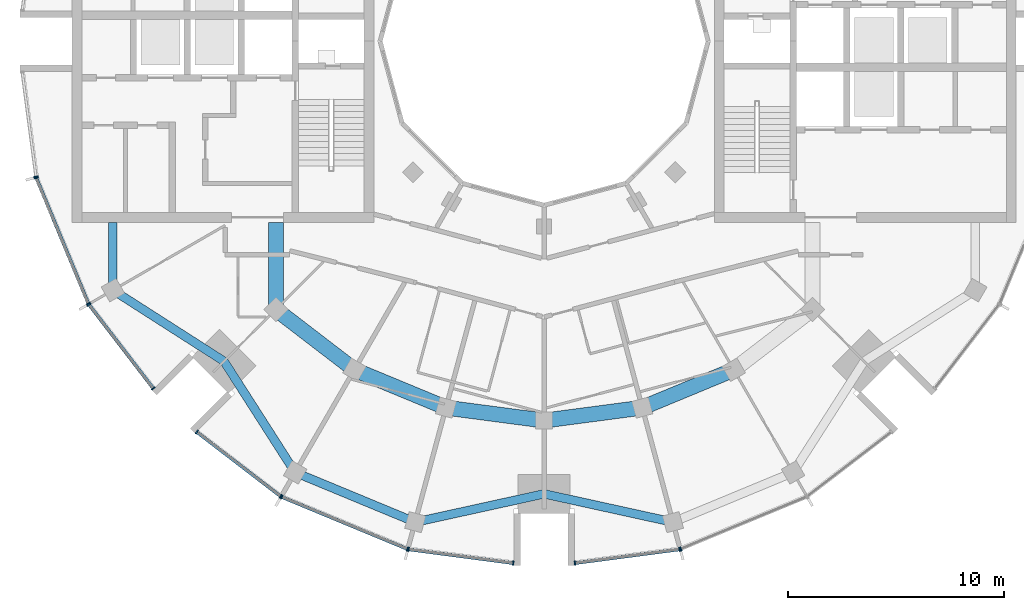
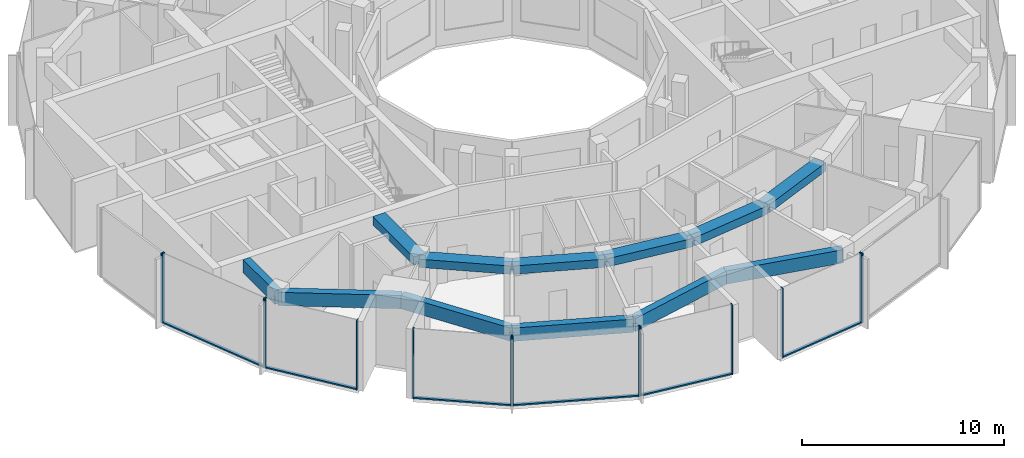
# One storey, part 2 of 15: 20 members, 12 beams, 8 elements without a shape of their own.
"""IFC4 building model written with IfcOpenShell, lengths in metres."""

from ifc_helpers import new_model, si_unit, direction, frame, origin, origin_2d, place, context, subcontext, project, spatial, rectangle, extrude, material, layer, layer_set, material_profile, profile_set, type_object, element, aggregate, save


model = new_model("IFC4")

# Units and contexts
model_context = context("Model", 3, precision=1e-05, world=origin(), true_north=direction((0.0, 1.0)))
body_context = subcontext(model_context, "Body", "Model", "MODEL_VIEW")
ifc_project = project(units=[si_unit("LENGTHUNIT", "METRE"), si_unit("AREAUNIT", "SQUARE_METRE"), si_unit("VOLUMEUNIT", "CUBIC_METRE"), si_unit("PLANEANGLEUNIT", "RADIAN"), si_unit("MASSUNIT", "GRAM", prefix="KILO")], contexts=[model_context])

# Site, building, storey
site_placement = place(None, origin())
site = spatial("IfcSite", under=ifc_project, at=site_placement, CompositionType="ELEMENT")
building_placement = place(site_placement, origin())
building = spatial("IfcBuilding", under=site, at=building_placement, Name="Torre Brocal", CompositionType="ELEMENT")
storey_placement = place(building_placement, frame((0.0, 0.0, 279.89990234375)))
storey = spatial("IfcBuildingStorey", under=building, at=storey_placement, Name="L64", CompositionType="ELEMENT", Elevation=279.89990234375)

# Curtain wall, members
ifc_material_1 = material(Name="Aluminium and glass", Category="aluminium")
ifc_layer_1 = layer(ifc_material_1, 0.199951171875)
ifc_layer_set_1 = layer_set([ifc_layer_1], Name="Aluminium and glass")
curtain_wall_type_1 = type_object("IfcCurtainWallType", Name="CW-1 CURTAIN WALL 4200 HIGH", PredefinedType="NOTDEFINED", material=ifc_layer_set_1)
curtain_wall_1_placement = place(storey_placement, origin())
curtain_wall_1 = element("IfcCurtainWall", 1, at=curtain_wall_1_placement, inside=storey, type_object=curtain_wall_type_1, Name="CW-1 RUN 14", PredefinedType="NOTDEFINED")
ifc_material_2 = material(Name="Aluminium, dark anodised", Category="aluminium")
ifc_material_profile_1 = material_profile(ifc_material_2, rectangle(XDim=0.199951171875, YDim=0.06005859375, at=origin_2d()), Name="CW-1 MULLION 60X200")
ifc_profile_set_1 = profile_set([ifc_material_profile_1], Name="Aluminium, dark anodised")
member_type_1 = type_object("IfcMemberType", Name="CW-1 MULLION 60X200", PredefinedType="MULLION", material=ifc_profile_set_1)
member_1_placement = place(storey_placement, frame((56.443603515625, 68.6572265625, 0.0), z_axis=(0.0, 0.0, 1.0), x_axis=(0.923879532471, 0.382683432462, 0.0)))
member_1 = element("IfcMember", 2, at=member_1_placement, type_object=member_type_1, Name="CW1-5 mullion 1", PredefinedType="MULLION", context=body_context, shape_type="SweptSolid", body=[
    extrude(rectangle(XDim=0.199951171875, YDim=0.06005859375, at=origin_2d()), origin(), (0.0, 0.0, 1.0), 4.2001953125),
])
member_2_placement = place(storey_placement, frame((58.858154296875, 62.828125, 0.0), z_axis=(0.0, 0.0, 1.0), x_axis=(0.923879532471, 0.382683432462, 0.0)))
member_2 = element("IfcMember", 3, at=member_2_placement, type_object=member_type_1, Name="CW1-5 mullion 2", PredefinedType="MULLION", context=body_context, shape_type="SweptSolid", body=[
    extrude(rectangle(XDim=0.199951171875, YDim=0.06005859375, at=origin_2d()), origin(), (0.0, 0.0, 1.0), 4.2001953125),
])

curtain_wall_2_placement = place(storey_placement, origin())
curtain_wall_2 = element("IfcCurtainWall", 4, at=curtain_wall_2_placement, inside=storey, type_object=curtain_wall_type_1, Name="CW-1 RUN 15", PredefinedType="NOTDEFINED")
member_3_placement = place(storey_placement, frame((58.887939453125, 62.776611328125, 0.0), z_axis=(0.0, 0.0, 1.0), x_axis=(0.793353340344, 0.608761428939, 0.0)))
member_3 = element("IfcMember", 5, at=member_3_placement, type_object=member_type_1, Name="CW1-5 mullion 1", PredefinedType="MULLION", context=body_context, shape_type="SweptSolid", body=[
    extrude(rectangle(XDim=0.199951171875, YDim=0.06005859375, at=origin_2d()), origin(), (0.0, 0.0, 1.0), 4.2001953125),
])
member_4_placement = place(storey_placement, frame((61.869384765625, 58.891357421875, 0.0), z_axis=(0.0, 0.0, 1.0), x_axis=(0.793353340344, 0.608761428939, 0.0)))
member_4 = element("IfcMember", 6, at=member_4_placement, type_object=member_type_1, Name="CW1-5 mullion 2", PredefinedType="MULLION", context=body_context, shape_type="SweptSolid", body=[
    extrude(rectangle(XDim=0.199951171875, YDim=0.06005859375, at=origin_2d()), origin(), (0.0, 0.0, 1.0), 4.2001953125),
])

curtain_wall_3_placement = place(storey_placement, origin())
curtain_wall_3 = element("IfcCurtainWall", 7, at=curtain_wall_3_placement, inside=storey, type_object=curtain_wall_type_1, Name="CW-1 RUN 16", PredefinedType="NOTDEFINED")
member_5_placement = place(storey_placement, frame((63.891357421875, 56.869384765625, 0.0), z_axis=(0.0, 0.0, 1.0), x_axis=(0.608761428939, 0.793353340344, 0.0)))
member_5 = element("IfcMember", 8, at=member_5_placement, type_object=member_type_1, Name="CW1-5 mullion 1", PredefinedType="MULLION", context=body_context, shape_type="SweptSolid", body=[
    extrude(rectangle(XDim=0.199951171875, YDim=0.06005859375, at=origin_2d()), origin(), (0.0, 0.0, 1.0), 4.2001953125),
])
member_6_placement = place(storey_placement, frame((67.776611328125, 53.887939453125, 0.0), z_axis=(0.0, 0.0, 1.0), x_axis=(0.608761428939, 0.793353340344, 0.0)))
member_6 = element("IfcMember", 9, at=member_6_placement, type_object=member_type_1, Name="CW1-5 mullion 2", PredefinedType="MULLION", context=body_context, shape_type="SweptSolid", body=[
    extrude(rectangle(XDim=0.199951171875, YDim=0.06005859375, at=origin_2d()), origin(), (0.0, 0.0, 1.0), 4.2001953125),
])

curtain_wall_4_placement = place(storey_placement, origin())
curtain_wall_4 = element("IfcCurtainWall", 10, at=curtain_wall_4_placement, inside=storey, type_object=curtain_wall_type_1, Name="CW-1 RUN 17", PredefinedType="NOTDEFINED")
member_7_placement = place(storey_placement, frame((67.828125, 53.858154296875, 0.0), z_axis=(0.0, 0.0, 1.0), x_axis=(0.382683432462, 0.923879532471, 0.0)))
member_7 = element("IfcMember", 11, at=member_7_placement, type_object=member_type_1, Name="CW1-5 mullion 1", PredefinedType="MULLION", context=body_context, shape_type="SweptSolid", body=[
    extrude(rectangle(XDim=0.199951171875, YDim=0.06005859375, at=origin_2d()), origin(), (0.0, 0.0, 1.0), 4.2001953125),
])
member_8_placement = place(storey_placement, frame((73.6572265625, 51.443603515625, 0.0), z_axis=(0.0, 0.0, 1.0), x_axis=(0.382683432462, 0.923879532471, 0.0)))
member_8 = element("IfcMember", 12, at=member_8_placement, type_object=member_type_1, Name="CW1-5 mullion 2", PredefinedType="MULLION", context=body_context, shape_type="SweptSolid", body=[
    extrude(rectangle(XDim=0.199951171875, YDim=0.06005859375, at=origin_2d()), origin(), (0.0, 0.0, 1.0), 4.2001953125),
])

curtain_wall_5_placement = place(storey_placement, origin())
curtain_wall_5 = element("IfcCurtainWall", 13, at=curtain_wall_5_placement, inside=storey, type_object=curtain_wall_type_1, Name="CW-1 RUN 18", PredefinedType="NOTDEFINED")
member_9_placement = place(storey_placement, frame((73.71484375, 51.42822265625, 0.0), z_axis=(0.0, 0.0, 1.0), x_axis=(0.130526192116, 0.991444861387, 0.0)))
member_9 = element("IfcMember", 14, at=member_9_placement, type_object=member_type_1, Name="CW1-5 mullion 1", PredefinedType="MULLION", context=body_context, shape_type="SweptSolid", body=[
    extrude(rectangle(XDim=0.199951171875, YDim=0.06005859375, at=origin_2d()), origin(), (0.0, 0.0, 1.0), 4.2001953125),
])
member_10_placement = place(storey_placement, frame((78.5703125, 50.7890625, 0.0), z_axis=(0.0, 0.0, 1.0), x_axis=(0.130526192116, 0.991444861387, 0.0)))
member_10 = element("IfcMember", 15, at=member_10_placement, type_object=member_type_1, Name="CW1-5 mullion 2", PredefinedType="MULLION", context=body_context, shape_type="SweptSolid", body=[
    extrude(rectangle(XDim=0.199951171875, YDim=0.06005859375, at=origin_2d()), origin(), (0.0, 0.0, 1.0), 4.2001953125),
])

curtain_wall_6_placement = place(storey_placement, origin())
curtain_wall_6 = element("IfcCurtainWall", 16, at=curtain_wall_6_placement, inside=storey, type_object=curtain_wall_type_1, Name="CW-1 RUN 19", PredefinedType="NOTDEFINED")
member_11_placement = place(storey_placement, frame((81.4296875, 50.7890625, 0.0), z_axis=(0.0, 0.0, 1.0), x_axis=(-0.130526192116, 0.991444861387, 0.0)))
member_11 = element("IfcMember", 17, at=member_11_placement, type_object=member_type_1, Name="CW1-5 mullion 1", PredefinedType="MULLION", context=body_context, shape_type="SweptSolid", body=[
    extrude(rectangle(XDim=0.199951171875, YDim=0.06005859375, at=origin_2d()), origin(), (0.0, 0.0, 1.0), 4.2001953125),
])
member_12_placement = place(storey_placement, frame((86.28515625, 51.42822265625, 0.0), z_axis=(0.0, 0.0, 1.0), x_axis=(-0.130526192116, 0.991444861387, 0.0)))
member_12 = element("IfcMember", 18, at=member_12_placement, type_object=member_type_1, Name="CW1-5 mullion 2", PredefinedType="MULLION", context=body_context, shape_type="SweptSolid", body=[
    extrude(rectangle(XDim=0.199951171875, YDim=0.06005859375, at=origin_2d()), origin(), (0.0, 0.0, 1.0), 4.2001953125),
])

# Curtain wall, member
curtain_wall_7_placement = place(storey_placement, origin())
curtain_wall_7 = element("IfcCurtainWall", 19, at=curtain_wall_7_placement, inside=storey, type_object=curtain_wall_type_1, Name="CW-1 RUN 20", PredefinedType="NOTDEFINED")
member_13_placement = place(storey_placement, frame((86.3427734375, 51.443603515625, 0.0), z_axis=(0.0, 0.0, 1.0), x_axis=(-0.382683432462, 0.923879532471, 0.0)))
member_13 = element("IfcMember", 20, at=member_13_placement, type_object=member_type_1, Name="CW1-5 mullion 1", PredefinedType="MULLION", context=body_context, shape_type="SweptSolid", body=[
    extrude(rectangle(XDim=0.199951171875, YDim=0.06005859375, at=origin_2d()), origin(), (0.0, 0.0, 1.0), 4.2001953125),
])
aggregate(curtain_wall_7, [member_13])

# Member
ifc_material_3 = material(Name="Aluminium, dark anodised", Category="aluminium")
ifc_material_profile_2 = material_profile(ifc_material_3, rectangle(XDim=0.159912109375, YDim=0.080078125, at=origin_2d()), Name="CW-1 TRANSOM 160X80")
ifc_profile_set_2 = profile_set([ifc_material_profile_2], Name="Aluminium, dark anodised")
member_type_2 = type_object("IfcMemberType", Name="CW-1 TRANSOM 160X80", PredefinedType="USERDEFINED", material=ifc_profile_set_2)
member_14_placement = place(storey_placement, frame((56.455322265625, 68.629638671875, 0.0400390625), z_axis=(0.382658872004, -0.923889705363, 0.0), x_axis=(0.923889705363, 0.382658872004, 0.0)))
member_14 = element("IfcMember", 21, at=member_14_placement, type_object=member_type_2, Name="CW1-5 transom 1.1", ObjectType="TRANSOM", PredefinedType="USERDEFINED", context=body_context, shape_type="SweptSolid", body=[
    extrude(rectangle(XDim=0.159912109375, YDim=0.080078125, at=origin_2d()), origin(), (0.0, 0.0, 1.0), 6.249267578125),
])

aggregate(curtain_wall_1, [member_1, member_2, member_14])

member_15_placement = place(storey_placement, frame((58.90625, 62.7529296875, 0.0400390625), z_axis=(0.608749350163, -0.793362608569, 0.0), x_axis=(0.793362608569, 0.608749350163, 0.0)))
member_15 = element("IfcMember", 22, at=member_15_placement, type_object=member_type_2, Name="CW1-5 transom 1.1", ObjectType="TRANSOM", PredefinedType="USERDEFINED", context=body_context, shape_type="SweptSolid", body=[
    extrude(rectangle(XDim=0.159912109375, YDim=0.080078125, at=origin_2d()), origin(), (0.0, 0.0, 1.0), 4.83740234375),
])

aggregate(curtain_wall_2, [member_3, member_4, member_15])

member_16_placement = place(storey_placement, frame((63.9150390625, 56.85107421875, 0.0400390625), z_axis=(0.793362608569, -0.608749350163, 0.0), x_axis=(0.608749350163, 0.793362608569, 0.0)))
member_16 = element("IfcMember", 23, at=member_16_placement, type_object=member_type_2, Name="CW1-5 transom 1.1", ObjectType="TRANSOM", PredefinedType="USERDEFINED", context=body_context, shape_type="SweptSolid", body=[
    extrude(rectangle(XDim=0.159912109375, YDim=0.080078125, at=origin_2d()), origin(), (0.0, 0.0, 1.0), 4.83740234375),
])

aggregate(curtain_wall_3, [member_5, member_6, member_16])

member_17_placement = place(storey_placement, frame((67.85595703125, 53.8466796875, 0.0400390625), z_axis=(0.923889705363, -0.382658872004, 0.0), x_axis=(0.382658872004, 0.923889705363, 0.0)))
member_17 = element("IfcMember", 24, at=member_17_placement, type_object=member_type_2, Name="CW1-5 transom 1.1", ObjectType="TRANSOM", PredefinedType="USERDEFINED", context=body_context, shape_type="SweptSolid", body=[
    extrude(rectangle(XDim=0.159912109375, YDim=0.080078125, at=origin_2d()), origin(), (0.0, 0.0, 1.0), 6.249267578125),
])

aggregate(curtain_wall_4, [member_7, member_8, member_17])

member_18_placement = place(storey_placement, frame((73.74462890625, 51.42431640625, 0.0400390625), z_axis=(0.991446047842, -0.130517179786, 0.0), x_axis=(0.130517179786, 0.991446047842, 0.0)))
member_18 = element("IfcMember", 25, at=member_18_placement, type_object=member_type_2, Name="CW1-5 transom 1.1", ObjectType="TRANSOM", PredefinedType="USERDEFINED", context=body_context, shape_type="SweptSolid", body=[
    extrude(rectangle(XDim=0.159912109375, YDim=0.080078125, at=origin_2d()), origin(), (0.0, 0.0, 1.0), 4.837158203125),
])

aggregate(curtain_wall_5, [member_9, member_10, member_18])

member_19_placement = place(storey_placement, frame((81.45947265625, 50.79296875, 0.0400390625), z_axis=(0.991446047842, 0.130517179786, 0.0), x_axis=(-0.130517179786, 0.991446047842, 0.0)))
member_19 = element("IfcMember", 26, at=member_19_placement, type_object=member_type_2, Name="CW1-5 transom 1.1", ObjectType="TRANSOM", PredefinedType="USERDEFINED", context=body_context, shape_type="SweptSolid", body=[
    extrude(rectangle(XDim=0.159912109375, YDim=0.080078125, at=origin_2d()), origin(), (0.0, 0.0, 1.0), 4.837158203125),
])

aggregate(curtain_wall_6, [member_11, member_12, member_19])

# Curtain wall, member
ifc_material_4 = material(Name="Aluminium and glass", Category="aluminium")
ifc_layer_2 = layer(ifc_material_4, 0.199951171875)
ifc_layer_set_2 = layer_set([ifc_layer_2], Name="Aluminium and glass")
curtain_wall_type_2 = type_object("IfcCurtainWallType", Name="CW-1B CURTAIN WALL 4200 HIGH", PredefinedType="NOTDEFINED", material=ifc_layer_set_2)
curtain_wall_8_placement = place(storey_placement, origin())
curtain_wall_8 = element("IfcCurtainWall", 27, at=curtain_wall_8_placement, inside=storey, type_object=curtain_wall_type_2, Name="CW-1B RUN 13", PredefinedType="NOTDEFINED")
ifc_material_5 = material(Name="Aluminium, dark anodised", Category="aluminium")
ifc_material_profile_3 = material_profile(ifc_material_5, rectangle(XDim=0.199951171875, YDim=0.06005859375, at=origin_2d()), Name="CW-1B MULLION 60X200")
ifc_profile_set_3 = profile_set([ifc_material_profile_3], Name="Aluminium, dark anodised")
member_type_3 = type_object("IfcMemberType", Name="CW-1B MULLION 60X200", PredefinedType="MULLION", material=ifc_profile_set_3)
member_20_placement = place(storey_placement, frame((56.42822265625, 68.71484375, 0.0), z_axis=(0.0, 0.0, 1.0), x_axis=(0.991444861387, 0.130526192116, 0.0)))
member_20 = element("IfcMember", 28, at=member_20_placement, type_object=member_type_3, Name="CW1B-5 mullion 2", PredefinedType="MULLION", context=body_context, shape_type="SweptSolid", body=[
    extrude(rectangle(XDim=0.199951171875, YDim=0.06005859375, at=origin_2d()), origin(), (0.0, 0.0, 1.0), 4.2001953125),
])
aggregate(curtain_wall_8, [member_20])

# Beams
ifc_material_6 = material(Name="Concrete C50", Category="concrete")
ifc_material_profile_4 = material_profile(ifc_material_6, rectangle(XDim=0.699951171875, YDim=0.5, at=origin_2d()), Name="RC 700X500")
ifc_profile_set_4 = profile_set([ifc_material_profile_4], Name="Concrete C50")
beam_type_1 = type_object("IfcBeamType", Name="RC BEAM 700X500 C50 TOP 3880", PredefinedType="BEAM", material=ifc_profile_set_4)
beam_1_placement = place(storey_placement, frame((67.554931640625, 62.554931640625, 3.630126953125), z_axis=(0.0, 1.0, 0.0), x_axis=(-1.0, 0.0, 0.0)))
element("IfcBeam", 29, at=beam_1_placement, inside=storey, type_object=beam_type_1, Name="Beam BT-37", PredefinedType="BEAM", context=body_context, shape_type="SweptSolid", body=[
    extrude(rectangle(XDim=0.699951171875, YDim=0.5, at=origin_2d()), origin(), (0.0, 0.0, 1.0), 4.045166015625),
])
beam_2_placement = place(storey_placement, frame((67.554931640625, 62.554931640625, 3.630126953125), z_axis=(0.793358265959, -0.6087550097, 0.0), x_axis=(0.6087550097, 0.793358265959, 0.0)))
element("IfcBeam", 30, at=beam_2_placement, inside=storey, type_object=beam_type_1, Name="Beam BT-37", PredefinedType="BEAM", context=body_context, shape_type="SweptSolid", body=[
    extrude(rectangle(XDim=0.699951171875, YDim=0.5, at=origin_2d()), origin(), (0.0, 0.0, 1.0), 4.594482421875),
])
beam_3_placement = place(storey_placement, frame((71.199951171875, 59.758056640625, 3.630126953125), z_axis=(0.923878240166, -0.382686552348, 0.0), x_axis=(0.382686552348, 0.923878240166, 0.0)))
element("IfcBeam", 31, at=beam_3_placement, inside=storey, type_object=beam_type_1, Name="Beam BT-37", PredefinedType="BEAM", context=body_context, shape_type="SweptSolid", body=[
    extrude(rectangle(XDim=0.699951171875, YDim=0.5, at=origin_2d()), origin(), (0.0, 0.0, 1.0), 4.5947265625),
])
for number, where, z_axis, x_axis, name in (
    (32, (75.44482421875, 57.999755859375, 3.630126953125), (0.991440544449, -0.130558978332, 0.0), (0.130558978332, 0.991440544449, 0.0), "Beam BT-37"),
    (33, (80.0, 57.39990234375, 3.630126953125), (0.991440544449, 0.130558978332, 0.0), (-0.130558978332, 0.991440544449, 0.0), "Beam BT-37"),
):
    element("IfcBeam", number, at=place(storey_placement, frame(where, z_axis=z_axis, x_axis=x_axis)), inside=storey, type_object=beam_type_1, Name=name, PredefinedType="BEAM", context=body_context, shape_type="SweptSolid", body=[
        extrude(rectangle(XDim=0.699951171875, YDim=0.5, at=origin_2d()), origin(), (0.0, 0.0, 1.0), 4.594482421875),
    ])
beam_4_placement = place(storey_placement, frame((84.55517578125, 57.999755859375, 3.630126953125), z_axis=(0.923878240166, 0.382686552348, 0.0), x_axis=(-0.382686552348, 0.923878240166, 0.0)))
element("IfcBeam", 34, at=beam_4_placement, inside=storey, type_object=beam_type_1, Name="Beam BT-37", PredefinedType="BEAM", context=body_context, shape_type="SweptSolid", body=[
    extrude(rectangle(XDim=0.699951171875, YDim=0.5, at=origin_2d()), origin(), (0.0, 0.0, 1.0), 4.5947265625),
])
ifc_material_7 = material(Name="Concrete C50", Category="concrete")
ifc_material_profile_5 = material_profile(ifc_material_7, rectangle(XDim=0.39990234375, YDim=0.800048828125, at=origin_2d()), Name="RC 400X800")
ifc_profile_set_5 = profile_set([ifc_material_profile_5], Name="Concrete C50")
beam_type_2 = type_object("IfcBeamType", Name="RC SPANDREL BEAM 400X800 C50 TOP 3880", PredefinedType="SPANDREL", material=ifc_profile_set_5)
beam_5_placement = place(storey_placement, frame((59.994873046875, 63.449951171875, 3.47998046875), z_axis=(0.0, 1.0, 0.0), x_axis=(-1.0, 0.0, 0.0)))
element("IfcBeam", 35, at=beam_5_placement, inside=storey, type_object=beam_type_2, Name="Beam BT-47", PredefinedType="SPANDREL", context=body_context, shape_type="SweptSolid", body=[
    extrude(rectangle(XDim=0.39990234375, YDim=0.800048828125, at=origin_2d()), origin(), (0.0, 0.0, 1.0), 3.150146484375),
])
for number, where, z_axis, x_axis, name in (
    (36, (59.994873046875, 63.449951171875, 3.47998046875), (0.842328620069, -0.538964280647, 0.0), (0.538964280647, 0.842328620069, 0.0), "Beam BT-47"),
    (37, (65.15087890625, 60.15087890625, 3.47998046875), (0.538964280647, -0.842328620069, 0.0), (0.842328620069, 0.538964280647, 0.0), "Beam BT-47"),
):
    element("IfcBeam", number, at=place(storey_placement, frame(where, z_axis=z_axis, x_axis=x_axis)), inside=storey, type_object=beam_type_2, Name=name, PredefinedType="SPANDREL", context=body_context, shape_type="SweptSolid", body=[
        extrude(rectangle(XDim=0.39990234375, YDim=0.800048828125, at=origin_2d()), origin(), (0.0, 0.0, 1.0), 6.12109375),
    ])
beam_6_placement = place(storey_placement, frame((68.449951171875, 54.994873046875, 3.47998046875), z_axis=(0.923870278372, -0.38270577307, 0.0), x_axis=(0.38270577307, 0.923870278372, 0.0)))
element("IfcBeam", 38, at=beam_6_placement, inside=storey, type_object=beam_type_2, Name="Beam BT-47", PredefinedType="SPANDREL", context=body_context, shape_type="SweptSolid", body=[
    extrude(rectangle(XDim=0.39990234375, YDim=0.800048828125, at=origin_2d()), origin(), (0.0, 0.0, 1.0), 6.0302734375),
])
for number, where, z_axis, x_axis, name in (
    (39, (74.021240234375, 52.68701171875, 3.47998046875), (0.976724578001, 0.214497316366, 0.0), (-0.214497316366, 0.976724578001, 0.0), "Beam BT-47"),
    (40, (80.0, 54.0, 3.47998046875), (0.976724578001, -0.214497316366, 0.0), (0.214497316366, 0.976724578001, 0.0), "Beam BT-47"),
):
    element("IfcBeam", number, at=place(storey_placement, frame(where, z_axis=z_axis, x_axis=x_axis)), inside=storey, type_object=beam_type_2, Name=name, PredefinedType="SPANDREL", context=body_context, shape_type="SweptSolid", body=[
        extrude(rectangle(XDim=0.39990234375, YDim=0.800048828125, at=origin_2d()), origin(), (0.0, 0.0, 1.0), 6.121337890625),
    ])

save(model, "model.ifc")
